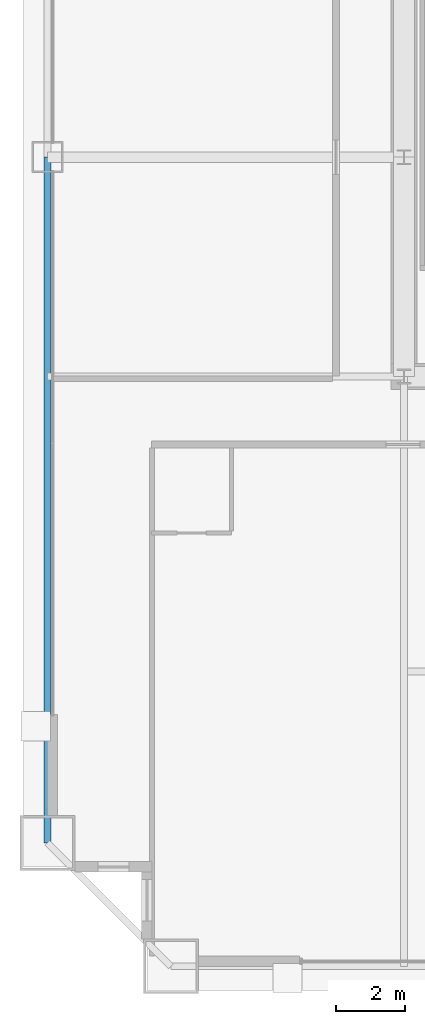
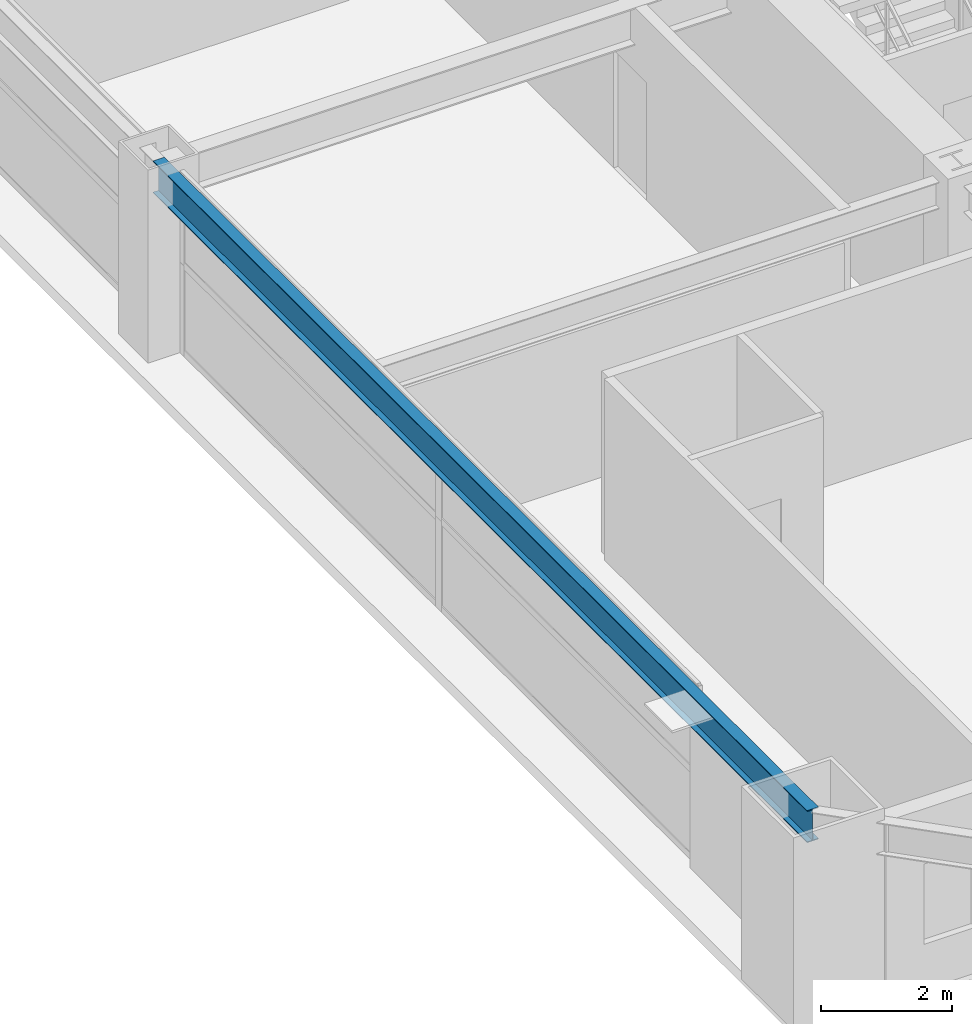
# One storey, part 6 of 38: 1 beam.
"""IFC4 building model written with IfcOpenShell, lengths in metres."""

import ifcopenshell
import ifcopenshell.guid

model = None  # the IFC model being written
_history = None  # IfcOwnerHistory: only IFC2X3 demands one
_inside = {}  # id of a spatial element -> (the spatial element, [elements in it])
_under = {}  # id of a project, library or spatial element -> (it, [spatial elements below it])
_declared = {}  # id of a project -> (the project, [libraries it declares])
_typed = {}  # id of a type object -> (the type object, [elements of that type])
_made_of = {}  # id of a material, layer set ... -> (it, [elements and type objects made of it])


def new_model(schema):
    """Start an empty IFC model of exactly this schema.

    Asked for "IFC4X3", IfcOpenShell would pick the latest addendum, in which some entities
    have other attributes; the version numbers below select the first issue.
    IFC2X3 requires an IfcOwnerHistory on every rooted entity: one is made here for all.
    """
    global model, _history
    if schema == "IFC4X3":
        model = ifcopenshell.file(schema_version=(4, 3, 0, 0))
    else:
        model = ifcopenshell.file(schema=schema)
    _inside.clear()
    _under.clear()
    _declared.clear()
    _typed.clear()
    _made_of.clear()
    _history = None
    if model.schema == "IFC2X3":
        org = make("IfcOrganization", Name="unknown")
        user = make(
            "IfcPersonAndOrganization",
            ThePerson=make("IfcPerson", FamilyName="unknown"),
            TheOrganization=org,
        )
        app = make(
            "IfcApplication",
            ApplicationDeveloper=org,
            Version="unknown",
            ApplicationFullName="unknown",
            ApplicationIdentifier="unknown",
        )
        _history = make(
            "IfcOwnerHistory",
            OwningUser=user,
            OwningApplication=app,
            ChangeAction="ADDED",
            CreationDate=0,
        )
    return model


def make(cls, **values):
    """One entity of the class cls with the attributes given. An attribute that is None is left unset."""
    return model.create_entity(
        cls, **{name: value for name, value in values.items() if value is not None}
    )


def rooted(cls, **values):
    """An entity with a GlobalId (a new one), such as an element, a storey or a relation."""
    return make(cls, GlobalId=ifcopenshell.guid.new(), OwnerHistory=_history, **values)


def si_unit(unit_type, name, prefix=None):
    """IfcSIUnit, for example si_unit("LENGTHUNIT", "METRE", prefix="MILLI")."""
    return make("IfcSIUnit", UnitType=unit_type, Prefix=prefix, Name=name)


def assignment(units):
    """IfcUnitAssignment: the units of a project."""
    return None if units is None else make("IfcUnitAssignment", Units=units)


def point(xyz):
    """IfcCartesianPoint."""
    return None if xyz is None else make("IfcCartesianPoint", Coordinates=xyz)


def direction(xyz):
    """IfcDirection."""
    return None if xyz is None else make("IfcDirection", DirectionRatios=xyz)


def frame(location, z_axis=None, x_axis=None):
    """IfcAxis2Placement3D, a coordinate frame: its origin and axes. An axis left out is left unset."""
    return make(
        "IfcAxis2Placement3D",
        Location=point(location),
        Axis=direction(z_axis),
        RefDirection=direction(x_axis),
    )


def frame_2d(location, x_axis=None):
    """IfcAxis2Placement2D, a coordinate frame in the plane: its origin and x axis."""
    return make(
        "IfcAxis2Placement2D", Location=point(location), RefDirection=direction(x_axis)
    )


def origin():
    """The frame at (0, 0, 0) with its axes left unset."""
    return frame((0.0, 0.0, 0.0))


def origin_2d():
    """The frame at (0, 0) in the plane with its x axis left unset."""
    return frame_2d((0.0, 0.0))


def place(relative_to, where):
    """IfcLocalPlacement: puts the frame where relative to a parent placement (None: the world)."""
    return make(
        "IfcLocalPlacement", PlacementRelTo=relative_to, RelativePlacement=where
    )


def context(
    kind, dimensions, precision=None, world=None, true_north=None, identifier=None
):
    """IfcGeometricRepresentationContext, for example the 3D "Model" context."""
    return make(
        "IfcGeometricRepresentationContext",
        ContextIdentifier=identifier,
        ContextType=kind,
        CoordinateSpaceDimension=dimensions,
        Precision=precision,
        WorldCoordinateSystem=world,
        TrueNorth=true_north,
    )


def subcontext(parent, identifier, kind, view, scale=None):
    """IfcGeometricRepresentationSubContext, for example "Body" below "Model"."""
    return make(
        "IfcGeometricRepresentationSubContext",
        ContextIdentifier=identifier,
        ContextType=kind,
        ParentContext=parent,
        TargetScale=scale,
        TargetView=view,
    )


def project(units=None, contexts=None):
    """IfcProject with its units and contexts."""
    return rooted(
        "IfcProject",
        Name="project",
        RepresentationContexts=contexts,
        UnitsInContext=assignment(units),
    )


def spatial(cls, under=None, at=None, **own):
    """A site, building, storey or space (cls), placed at a placement, below another one or the project."""
    s = rooted(cls, ObjectPlacement=at, **own)
    if under is not None:
        _under.setdefault(under.id(), (under, []))[1].append(s)
    return s


def profile(cls, at=None, kind="AREA", **sizes):
    """A parametric profile (cls). Its sizes go by their IFC names, for example OverallWidth=200.0."""
    return make(cls, ProfileType=kind, Position=at, **sizes)


def i_section(**sizes):
    """IfcIShapeProfileDef."""
    return profile("IfcIShapeProfileDef", **sizes)


def extrude(swept, where, along, depth):
    """IfcExtrudedAreaSolid: the profile swept, set in the frame where, extruded along a direction by depth."""
    return make(
        "IfcExtrudedAreaSolid",
        SweptArea=swept,
        Position=where,
        ExtrudedDirection=direction(along),
        Depth=depth,
    )


def shape(context_of_items, identifier, shape_type, items):
    """IfcShapeRepresentation: the items that make up one representation, for example the "Body"."""
    return make(
        "IfcShapeRepresentation",
        ContextOfItems=context_of_items,
        RepresentationIdentifier=identifier,
        RepresentationType=shape_type,
        Items=items,
    )


def source(mapping_origin, context_of_items, identifier, shape_type, items):
    """IfcRepresentationMap: a shape defined once, which mapped items show again and again."""
    return make(
        "IfcRepresentationMap",
        MappingOrigin=mapping_origin,
        MappedRepresentation=shape(context_of_items, identifier, shape_type, items),
    )


def transform(
    local_origin,
    x_axis=None,
    y_axis=None,
    z_axis=None,
    scale=None,
    scale2=None,
    scale3=None,
    uniform=True,
):
    """IfcCartesianTransformationOperator3D, or its non-uniform kind. x_axis, y_axis, z_axis: its Axis1, 2, 3."""
    if uniform:
        return make(
            "IfcCartesianTransformationOperator3D",
            Axis1=direction(x_axis),
            Axis2=direction(y_axis),
            LocalOrigin=point(local_origin),
            Scale=scale,
            Axis3=direction(z_axis),
        )
    return make(
        "IfcCartesianTransformationOperator3DnonUniform",
        Axis1=direction(x_axis),
        Axis2=direction(y_axis),
        LocalOrigin=point(local_origin),
        Scale=scale,
        Axis3=direction(z_axis),
        Scale2=scale2,
        Scale3=scale3,
    )


def mapped(mapping_source, mapping_target):
    """IfcMappedItem: shows the shape of a source again, moved by a transform."""
    return make(
        "IfcMappedItem", MappingSource=mapping_source, MappingTarget=mapping_target
    )


def material(Name=None, Category=None):
    """IfcMaterial."""
    return make("IfcMaterial", Name=Name, Category=Category)


def material_profile(
    of_material, cross_section, Name=None, Category=None, Priority=None
):
    """IfcMaterialProfile: a cross section and its material."""
    return make(
        "IfcMaterialProfile",
        Name=Name,
        Material=of_material,
        Profile=cross_section,
        Priority=Priority,
        Category=Category,
    )


def profile_set(profiles, Name=None, composite=None):
    """IfcMaterialProfileSet."""
    return make(
        "IfcMaterialProfileSet",
        Name=Name,
        MaterialProfiles=profiles,
        CompositeProfile=composite,
    )


def made_of(thing, what):
    """Note that an element or type object is made of a material, layer set ...; save() writes the relation."""
    if what is not None:
        _made_of.setdefault(what.id(), (what, []))[1].append(thing)
    return thing


def type_object(cls, material=None, **own):
    """A type object (cls), such as IfcWallType, which elements share."""
    return made_of(rooted(cls, **own), material)


def element(
    cls,
    number,
    at=None,
    inside=None,
    cuts=None,
    type_object=None,
    material=None,
    context=None,
    identifier="Body",
    shape_type=None,
    held_by="IfcProductDefinitionShape",
    body=None,
    shapes=None,
    **own,
):
    """One element of the class cls, such as IfcWall. Its Tag is "e" and its number.

    at: its placement. inside: the storey or other place that contains it. cuts: it is an
    opening in that element (IfcRelVoidsElement). A single representation is given by context,
    identifier, shape_type and body (its items); several are given by shapes. held_by: the class
    of the entity that holds the representations. save() writes the other relations.
    """
    e = rooted(cls, Tag="e%d" % number, ObjectPlacement=at, **own)
    if body is not None:
        shapes = [shape(context, identifier, shape_type, body)]
    if shapes is not None:
        e.Representation = make(held_by, Representations=shapes)
    if inside is not None:
        _inside.setdefault(inside.id(), (inside, []))[1].append(e)
    if cuts is not None:
        rooted(
            "IfcRelVoidsElement", RelatingBuildingElement=cuts, RelatedOpeningElement=e
        )
    if type_object is not None:
        _typed.setdefault(type_object.id(), (type_object, []))[1].append(e)
    return made_of(e, material)


def aggregate(whole, parts):
    """IfcRelAggregates: a whole, such as a stair, and the parts it consists of."""
    return rooted("IfcRelAggregates", RelatingObject=whole, RelatedObjects=parts)


def save(model, path):
    """Write the relations noted so far, then the file.

    IfcRelAggregates (storeys below a building ...), IfcRelContainedInSpatialStructure (elements
    in a storey), IfcRelDefinesByType, IfcRelAssociatesMaterial and IfcRelDeclares: one each for
    every whole, place, type object, material and project.
    """
    for whole, parts in _under.values():
        aggregate(whole, parts)
    for where, things in _inside.values():
        rooted(
            "IfcRelContainedInSpatialStructure",
            RelatedElements=things,
            RelatingStructure=where,
        )
    for kind, things in _typed.values():
        rooted("IfcRelDefinesByType", RelatedObjects=things, RelatingType=kind)
    for what, things in _made_of.values():
        rooted("IfcRelAssociatesMaterial", RelatedObjects=things, RelatingMaterial=what)
    for by, libraries in _declared.values():
        rooted("IfcRelDeclares", RelatingContext=by, RelatedDefinitions=libraries)
    model.write(path)


model = new_model("IFC4")

# Units and contexts
model_context = context("Model", 3, precision=1e-05, world=origin(), true_north=direction((0.0, 1.0)))
body_context = subcontext(model_context, "Body", "Model", "MODEL_VIEW")
ifc_project = project(units=[si_unit("LENGTHUNIT", "METRE"), si_unit("AREAUNIT", "SQUARE_METRE"), si_unit("VOLUMEUNIT", "CUBIC_METRE"), si_unit("PLANEANGLEUNIT", "RADIAN"), si_unit("MASSUNIT", "GRAM", prefix="KILO"), si_unit("THERMODYNAMICTEMPERATUREUNIT", "KELVIN"), si_unit("POWERUNIT", "WATT")], contexts=[model_context])

# Site, building, storey
site_placement = place(None, origin())
site = spatial("IfcSite", under=ifc_project, at=site_placement, CompositionType="ELEMENT")
building_placement = place(site_placement, origin())
building = spatial("IfcBuilding", under=site, at=building_placement, Name="Yuzanri Waterfront Tower", CompositionType="ELEMENT")
storey_placement = place(building_placement, frame((0.0, 0.0, 119.0)))
storey = spatial("IfcBuildingStorey", under=building, at=storey_placement, Name="L31", CompositionType="ELEMENT", Elevation=119.0)

# Beam
ifc_material = material(Name="Steel Q355B", Category="steel")
ifc_material_profile = material_profile(ifc_material, i_section(OverallWidth=0.199951171875, OverallDepth=0.60009765625, WebThickness=0.010986328125, FlangeThickness=0.01708984375, at=origin_2d()), Name="HN 600x200x11x17")
ifc_profile_set = profile_set([ifc_material_profile], Name="Steel Q355B")
beam_type = type_object("IfcBeamType", Name="Perimeter Spandrel Q355B HN 600x200", PredefinedType="SPANDREL", material=ifc_profile_set)
shared_shape = source(origin(), body_context, "Body", "SweptSolid", [
    extrude(i_section(OverallWidth=0.199951171875, OverallDepth=0.60009765625, WebThickness=0.010986328125, FlangeThickness=0.01708984375, at=origin_2d()), origin(), (0.0, 0.0, 1.0), 20.0),
])
beam_placement = place(storey_placement, frame((13.39990234375, 25.800048828125, 3.080078125), z_axis=(0.0, -1.0, 0.0), x_axis=(1.0, 0.0, 0.0)))
element("IfcBeam", 1, at=beam_placement, inside=storey, type_object=beam_type, Name="L31 Perimeter Spandrel W2-W1", PredefinedType="SPANDREL", context=body_context, shape_type="MappedRepresentation", body=[
    mapped(shared_shape, transform((0.0, 0.0, 0.0), scale=1.0)),
])

save(model, "model.ifc")
